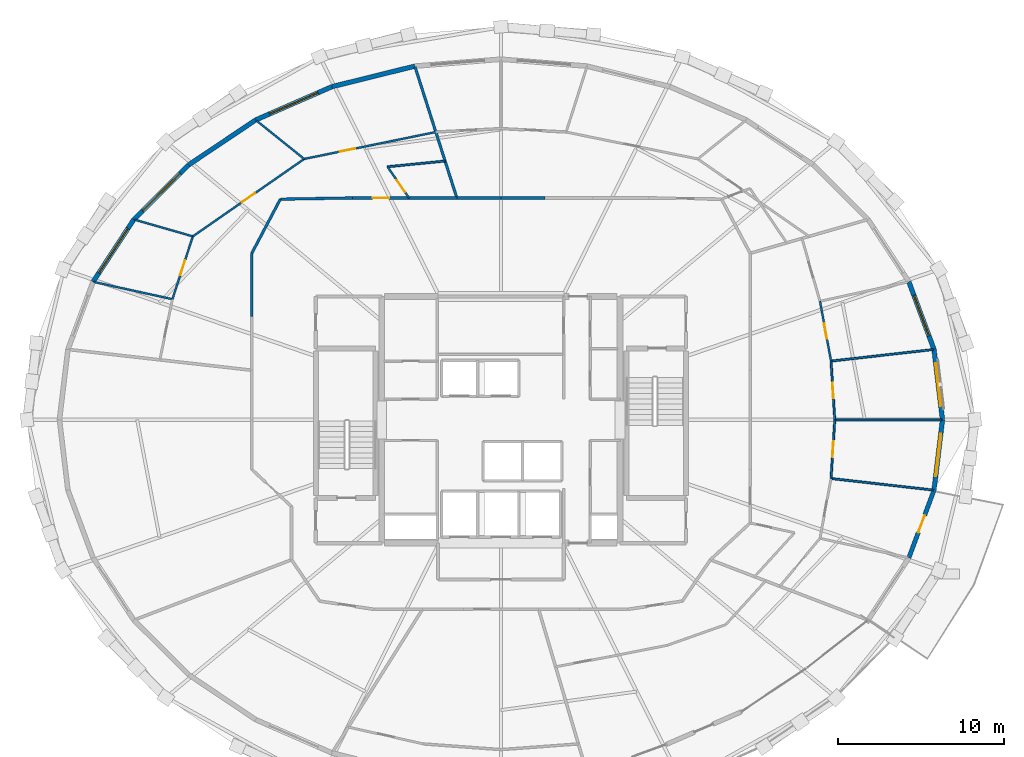
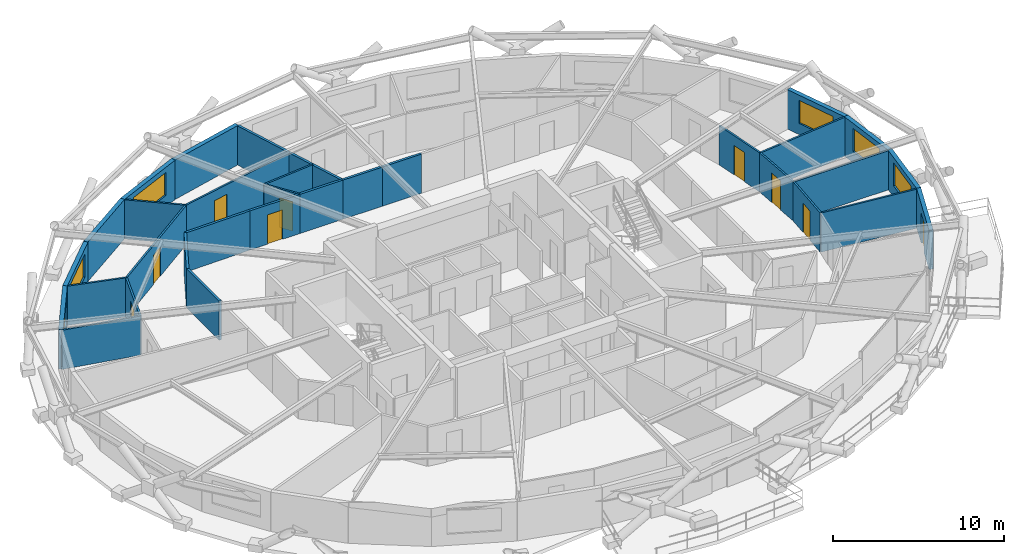
# One storey, part 10 of 12: 31 walls, 9 doors, 6 windows, 15 openings.
"""IFC4 building model written with IfcOpenShell, lengths in metres."""

from ifc_helpers import new_model, si_unit, direction, frame, frame_2d, origin, place, context, subcontext, project, spatial, rectangle, extrude, material, layer, layer_set, type_object, element, fill, save


model = new_model("IFC4")

# Units and contexts
model_context = context("Model", 3, precision=1e-05, world=origin(), true_north=direction((0.0, 1.0)))
body_context = subcontext(model_context, "Body", "Model", "MODEL_VIEW")
ifc_project = project(units=[si_unit("LENGTHUNIT", "METRE"), si_unit("AREAUNIT", "SQUARE_METRE"), si_unit("VOLUMEUNIT", "CUBIC_METRE"), si_unit("PLANEANGLEUNIT", "RADIAN"), si_unit("MASSUNIT", "GRAM", prefix="KILO")], contexts=[model_context])

# Site, building, storey
site_placement = place(None, origin())
site = spatial("IfcSite", under=ifc_project, at=site_placement, CompositionType="ELEMENT")
building_placement = place(site_placement, origin())
building = spatial("IfcBuilding", under=site, at=building_placement, Name="Veldorina Hangang Commons", CompositionType="ELEMENT")
storey_placement = place(building_placement, frame((0.0, 0.0, 124.39990234375)))
storey = spatial("IfcBuildingStorey", under=building, at=storey_placement, Name="L31", CompositionType="ELEMENT", Elevation=124.39990234375)

# Wall, opening, door
ifc_material_1 = material(Name="Stone Roman Travertine", Category="masonry")
ifc_layer_1 = layer(ifc_material_1, 0.260009765625)
ifc_layer_set_1 = layer_set([ifc_layer_1], Name="Stone Roman Travertine")
wall_type_1 = type_object("IfcWallType", Name="EW-LOGGIA-260", PredefinedType="STANDARD", material=ifc_layer_set_1)
wall_1_placement = place(storey_placement, frame((56.63671875, 15.665771484375, 0.0), z_axis=(0.0, 0.0, 1.0), x_axis=(0.348211846364, 0.937415868253, 0.0)))
wall_1 = element("IfcWall", 1, at=wall_1_placement, inside=storey, type_object=wall_type_1, Name="L31 sky-garden loggia portal wall 30", PredefinedType="STANDARD", context=body_context, shape_type="SweptSolid", body=[
    extrude(rectangle(XDim=4.358154296875, YDim=0.260009765625, at=frame_2d((2.17919921875, 0.0))), origin(), (0.0, 0.0, 1.0), 2.820068359375),
])
opening_1_placement = place(wall_1_placement, frame((1.629150390625, 0.0, 0.0)))
opening_1 = element("IfcOpeningElement", 2, at=opening_1_placement, cuts=wall_1, Name="Opening BD-1100", PredefinedType="OPENING", context=body_context, shape_type="SweptSolid", body=[
    extrude(rectangle(XDim=1.10009765625, YDim=2.14990234375, at=frame_2d((0.550048828125, 1.074951171875))), frame((0.0, 0.14013671875, 0.0), z_axis=(0.0, -1.0, 0.0), x_axis=(1.0, 0.0, 0.0)), (0.0, 0.0, 1.0), 0.280029296875),
])
ifc_material_2 = material(Name="Glass Thermal Aluminium Frame", Category="aluminium")
door_type_1 = type_object("IfcDoorType", Name="DR-EXT-BAL1100", OperationType="SINGLE_SWING_RIGHT", PredefinedType="DOOR", material=ifc_material_2)
door_1_placement = place(opening_1_placement, origin())
door_1 = element("IfcDoor", 3, at=door_1_placement, inside=storey, type_object=door_type_1, Name="L31 tree balcony glazed exterior door 30", OperationType="SINGLE_SWING_LEFT", OverallHeight=2.14990234375, OverallWidth=1.10009765625, PredefinedType="DOOR", context=body_context, shape_type="SweptSolid", body=[
    extrude(rectangle(XDim=1.10009765625, YDim=2.14990234375, at=frame_2d((0.550048828125, 1.074951171875))), frame((0.0, 0.02490234375, 0.0), z_axis=(0.0, -1.0, 0.0), x_axis=(1.0, 0.0, 0.0)), (0.0, 0.0, 1.0), 0.050048828125),
])
fill(opening_1, door_1)

# Wall, opening, window
ifc_layer_2 = layer(ifc_material_1, 0.280029296875)
ifc_layer_set_2 = layer_set([ifc_layer_2], Name="Stone Roman Travertine")
wall_type_2 = type_object("IfcWallType", Name="EW-TRAV-280", PredefinedType="STANDARD", material=ifc_layer_set_2)
wall_2_placement = place(storey_placement, frame((58.66650390625, 24.0, 0.0), z_axis=(0.0, 0.0, 1.0), x_axis=(-0.119687341708, 0.992811633813, 0.0)))
wall_2 = element("IfcWall", 4, at=wall_2_placement, inside=storey, type_object=wall_type_2, Name="L31 travertine facade wall 00", PredefinedType="STANDARD", context=body_context, shape_type="SweptSolid", body=[
    extrude(rectangle(XDim=4.279541015625, YDim=0.280029296875, at=frame_2d((2.1396484375, 0.0))), origin(), (0.0, 0.0, 1.0), 2.820068359375),
])
opening_2_placement = place(wall_2_placement, frame((0.83984375, 0.0, 0.800048828125)))
opening_2 = element("IfcOpeningElement", 5, at=opening_2_placement, cuts=wall_2, Name="Opening W-02", PredefinedType="OPENING", context=body_context, shape_type="SweptSolid", body=[
    extrude(rectangle(XDim=2.60009765625, YDim=1.64990234375, at=frame_2d((1.300048828125, 0.824951171875))), frame((0.0, 0.14990234375, 0.0), z_axis=(0.0, -1.0, 0.0), x_axis=(1.0, 0.0, 0.0)), (0.0, 0.0, 1.0), 0.300048828125),
])
ifc_material_3 = material(Name="Glass Low-E Triple IGU", Category="glass")
window_type_1 = type_object("IfcWindowType", Name="WIN-TWR-2600", PartitioningType="SINGLE_PANEL", PredefinedType="WINDOW", material=ifc_material_3)
window_1_placement = place(opening_2_placement, origin())
window_1 = element("IfcWindow", 6, at=window_1_placement, inside=storey, type_object=window_type_1, Name="L31 facade window 00", OverallHeight=1.64990234375, OverallWidth=2.60009765625, PartitioningType="SINGLE_PANEL", PredefinedType="WINDOW", context=body_context, shape_type="SweptSolid", body=[
    extrude(rectangle(XDim=2.60009765625, YDim=1.64990234375, at=frame_2d((1.300048828125, 0.824951171875))), frame((0.0, 0.030029296875, 0.0), z_axis=(0.0, -1.0, 0.0), x_axis=(1.0, 0.0, 0.0)), (0.0, 0.0, 1.0), 0.06005859375),
])
fill(opening_2, window_1)

wall_3_placement = place(storey_placement, frame((58.154296875, 28.248779296875, 0.0), z_axis=(0.0, 0.0, 1.0), x_axis=(-0.348211846364, 0.937415868253, 0.0)))
wall_3 = element("IfcWall", 7, at=wall_3_placement, inside=storey, type_object=wall_type_2, Name="L31 travertine facade wall 01", PredefinedType="STANDARD", context=body_context, shape_type="SweptSolid", body=[
    extrude(rectangle(XDim=4.358154296875, YDim=0.280029296875, at=frame_2d((2.17919921875, 0.0))), origin(), (0.0, 0.0, 1.0), 2.820068359375),
])
opening_3_placement = place(wall_3_placement, frame((0.879150390625, 0.0, 0.800048828125)))
opening_3 = element("IfcOpeningElement", 8, at=opening_3_placement, cuts=wall_3, Name="Opening W-02", PredefinedType="OPENING", context=body_context, shape_type="SweptSolid", body=[
    extrude(rectangle(XDim=2.60009765625, YDim=1.64990234375, at=frame_2d((1.300048828125, 0.824951171875))), frame((0.0, 0.14990234375, 0.0), z_axis=(0.0, -1.0, 0.0), x_axis=(1.0, 0.0, 0.0)), (0.0, 0.0, 1.0), 0.300048828125),
])
window_2_placement = place(opening_3_placement, origin())
window_2 = element("IfcWindow", 9, at=window_2_placement, inside=storey, type_object=window_type_1, Name="L31 facade window 01", OverallHeight=1.64990234375, OverallWidth=2.60009765625, PartitioningType="SINGLE_PANEL", PredefinedType="WINDOW", context=body_context, shape_type="SweptSolid", body=[
    extrude(rectangle(XDim=2.60009765625, YDim=1.64990234375, at=frame_2d((1.300048828125, 0.824951171875))), frame((0.0, 0.030029296875, 0.0), z_axis=(0.0, -1.0, 0.0), x_axis=(1.0, 0.0, 0.0)), (0.0, 0.0, 1.0), 0.06005859375),
])
fill(opening_3, window_2)

# Wall
wall_4_placement = place(storey_placement, frame((26.797607421875, 45.360107421875, 0.0), z_axis=(0.0, 0.0, 1.0), x_axis=(-0.970658593631, -0.24046183608, 0.0)))
element("IfcWall", 10, at=wall_4_placement, inside=storey, type_object=wall_type_2, Name="L31 travertine facade wall 09", PredefinedType="STANDARD", context=body_context, shape_type="SweptSolid", body=[
    extrude(rectangle(XDim=5.153564453125, YDim=0.280029296875, at=frame_2d((2.57666015625, 0.0))), origin(), (0.0, 0.0, 1.0), 2.820068359375),
])

# Wall, opening, window
wall_5_placement = place(storey_placement, frame((21.795166015625, 44.120849609375, 0.0), z_axis=(0.0, 0.0, 1.0), x_axis=(-0.916473381058, -0.400095665825, 0.0)))
wall_5 = element("IfcWall", 11, at=wall_5_placement, inside=storey, type_object=wall_type_2, Name="L31 travertine facade wall 10", PredefinedType="STANDARD", context=body_context, shape_type="SweptSolid", body=[
    extrude(rectangle(XDim=5.030517578125, YDim=0.280029296875, at=frame_2d((2.51513671875, 0.0))), origin(), (0.0, 0.0, 1.0), 2.820068359375),
])
opening_4_placement = place(wall_5_placement, frame((0.915283203125, 0.0, 0.800048828125)))
opening_4 = element("IfcOpeningElement", 12, at=opening_4_placement, cuts=wall_5, Name="Opening W-01", PredefinedType="OPENING", context=body_context, shape_type="SweptSolid", body=[
    extrude(rectangle(XDim=3.199951171875, YDim=1.64990234375, at=frame_2d((1.60009765625, 0.824951171875))), frame((0.0, 0.14990234375, 0.0), z_axis=(0.0, -1.0, 0.0), x_axis=(1.0, 0.0, 0.0)), (0.0, 0.0, 1.0), 0.300048828125),
])
window_type_2 = type_object("IfcWindowType", Name="WIN-TWR-3200", PartitioningType="SINGLE_PANEL", PredefinedType="WINDOW", material=ifc_material_3)
window_3_placement = place(opening_4_placement, origin())
window_3 = element("IfcWindow", 13, at=window_3_placement, inside=storey, type_object=window_type_2, Name="L31 facade window 10", OverallHeight=1.64990234375, OverallWidth=3.199951171875, PartitioningType="SINGLE_PANEL", PredefinedType="WINDOW", context=body_context, shape_type="SweptSolid", body=[
    extrude(rectangle(XDim=3.199951171875, YDim=1.64990234375, at=frame_2d((1.60009765625, 0.824951171875))), frame((0.0, 0.030029296875, 0.0), z_axis=(0.0, -1.0, 0.0), x_axis=(1.0, 0.0, 0.0)), (0.0, 0.0, 1.0), 0.06005859375),
])
fill(opening_4, window_3)

# Wall
wall_6_placement = place(storey_placement, frame((17.184814453125, 42.108154296875, 0.0), z_axis=(0.0, 0.0, 1.0), x_axis=(-0.83069663506, -0.556725336679, 0.0)))
element("IfcWall", 14, at=wall_6_placement, inside=storey, type_object=wall_type_2, Name="L31 travertine facade wall 11", PredefinedType="STANDARD", context=body_context, shape_type="SweptSolid", body=[
    extrude(rectangle(XDim=4.864501953125, YDim=0.280029296875, at=frame_2d((2.43212890625, 0.0))), origin(), (0.0, 0.0, 1.0), 2.820068359375),
])

# Wall, opening, window
wall_7_placement = place(storey_placement, frame((13.143798828125, 39.39990234375, 0.0), z_axis=(0.0, 0.0, 1.0), x_axis=(-0.708826657364, -0.70538271159, 0.0)))
wall_7 = element("IfcWall", 15, at=wall_7_placement, inside=storey, type_object=wall_type_2, Name="L31 travertine facade wall 12", PredefinedType="STANDARD", context=body_context, shape_type="SweptSolid", body=[
    extrude(rectangle(XDim=4.6787109375, YDim=0.280029296875, at=frame_2d((2.33935546875, 0.0))), origin(), (0.0, 0.0, 1.0), 2.820068359375),
])
opening_5_placement = place(wall_7_placement, frame((0.739501953125, 0.0, 0.800048828125)))
opening_5 = element("IfcOpeningElement", 16, at=opening_5_placement, cuts=wall_7, Name="Opening W-01", PredefinedType="OPENING", context=body_context, shape_type="SweptSolid", body=[
    extrude(rectangle(XDim=3.199951171875, YDim=1.64990234375, at=frame_2d((1.60009765625, 0.824951171875))), frame((0.0, 0.14990234375, 0.0), z_axis=(0.0, -1.0, 0.0), x_axis=(1.0, 0.0, 0.0)), (0.0, 0.0, 1.0), 0.300048828125),
])
window_4_placement = place(opening_5_placement, origin())
window_4 = element("IfcWindow", 17, at=window_4_placement, inside=storey, type_object=window_type_2, Name="L31 facade window 12", OverallHeight=1.64990234375, OverallWidth=3.199951171875, PartitioningType="SINGLE_PANEL", PredefinedType="WINDOW", context=body_context, shape_type="SweptSolid", body=[
    extrude(rectangle(XDim=3.199951171875, YDim=1.64990234375, at=frame_2d((1.60009765625, 0.824951171875))), frame((0.0, 0.030029296875, 0.0), z_axis=(0.0, -1.0, 0.0), x_axis=(1.0, 0.0, 0.0)), (0.0, 0.0, 1.0), 0.06005859375),
])
fill(opening_5, window_4)

wall_8_placement = place(storey_placement, frame((9.827392578125, 36.099609375, 0.0), z_axis=(0.0, 0.0, 1.0), x_axis=(-0.547581138096, -0.836752590197, 0.0)))
wall_8 = element("IfcWall", 18, at=wall_8_placement, inside=storey, type_object=wall_type_2, Name="L31 travertine facade wall 13", PredefinedType="STANDARD", context=body_context, shape_type="SweptSolid", body=[
    extrude(rectangle(XDim=4.5, YDim=0.280029296875, at=frame_2d((2.25, 0.0))), origin(), (0.0, 0.0, 1.0), 2.820068359375),
])
opening_6_placement = place(wall_8_placement, frame((0.64990234375, 0.0, 0.800048828125)))
opening_6 = element("IfcOpeningElement", 19, at=opening_6_placement, cuts=wall_8, Name="Opening W-01", PredefinedType="OPENING", context=body_context, shape_type="SweptSolid", body=[
    extrude(rectangle(XDim=3.199951171875, YDim=1.64990234375, at=frame_2d((1.60009765625, 0.824951171875))), frame((0.0, 0.14990234375, 0.0), z_axis=(0.0, -1.0, 0.0), x_axis=(1.0, 0.0, 0.0)), (0.0, 0.0, 1.0), 0.300048828125),
])
window_5_placement = place(opening_6_placement, origin())
window_5 = element("IfcWindow", 20, at=window_5_placement, inside=storey, type_object=window_type_2, Name="L31 facade window 13", OverallHeight=1.64990234375, OverallWidth=3.199951171875, PartitioningType="SINGLE_PANEL", PredefinedType="WINDOW", context=body_context, shape_type="SweptSolid", body=[
    extrude(rectangle(XDim=3.199951171875, YDim=1.64990234375, at=frame_2d((1.60009765625, 0.824951171875))), frame((0.0, 0.030029296875, 0.0), z_axis=(0.0, -1.0, 0.0), x_axis=(1.0, 0.0, 0.0)), (0.0, 0.0, 1.0), 0.06005859375),
])
fill(opening_6, window_5)

wall_9_placement = place(storey_placement, frame((58.154296875, 19.751220703125, 0.0), z_axis=(0.0, 0.0, 1.0), x_axis=(0.119687341708, 0.992811633813, 0.0)))
wall_9 = element("IfcWall", 21, at=wall_9_placement, inside=storey, type_object=wall_type_2, Name="L31 travertine facade wall 31", PredefinedType="STANDARD", context=body_context, shape_type="SweptSolid", body=[
    extrude(rectangle(XDim=4.279541015625, YDim=0.280029296875, at=frame_2d((2.1396484375, 0.0))), origin(), (0.0, 0.0, 1.0), 2.820068359375),
])
opening_7_placement = place(wall_9_placement, frame((0.83984375, 0.0, 0.800048828125)))
opening_7 = element("IfcOpeningElement", 22, at=opening_7_placement, cuts=wall_9, Name="Opening W-02", PredefinedType="OPENING", context=body_context, shape_type="SweptSolid", body=[
    extrude(rectangle(XDim=2.60009765625, YDim=1.64990234375, at=frame_2d((1.300048828125, 0.824951171875))), frame((0.0, 0.14990234375, 0.0), z_axis=(0.0, -1.0, 0.0), x_axis=(1.0, 0.0, 0.0)), (0.0, 0.0, 1.0), 0.300048828125),
])
window_6_placement = place(opening_7_placement, origin())
window_6 = element("IfcWindow", 23, at=window_6_placement, inside=storey, type_object=window_type_1, Name="L31 facade window 31", OverallHeight=1.64990234375, OverallWidth=2.60009765625, PartitioningType="SINGLE_PANEL", PredefinedType="WINDOW", context=body_context, shape_type="SweptSolid", body=[
    extrude(rectangle(XDim=2.60009765625, YDim=1.64990234375, at=frame_2d((1.300048828125, 0.824951171875))), frame((0.0, 0.030029296875, 0.0), z_axis=(0.0, -1.0, 0.0), x_axis=(1.0, 0.0, 0.0)), (0.0, 0.0, 1.0), 0.06005859375),
])
fill(opening_7, window_6)

# Walls
ifc_material_4 = material(Name="Gypsum Fire-Rated Twin Stud Wall", Category="gypsum")
ifc_layer_3 = layer(ifc_material_4, 0.159912109375)
ifc_layer_set_3 = layer_set([ifc_layer_3], Name="Gypsum Fire-Rated Twin Stud Wall")
wall_type_3 = type_object("IfcWallType", Name="WL-FIRE-160", PredefinedType="SOLIDWALL", material=ifc_layer_set_3)
for number, where, z_axis, x_axis, name in (
    (24, (34.665283203125, 37.39990234375, 0.0), (0.0, 0.0, 1.0), (-1.0, 0.0, 0.0), "L31 U-corridor outer wall 07 053"),
    (25, (32.0, 37.39990234375, 0.0), (0.0, 0.0, 1.0), (-1.0, 0.0, 0.0), "L31 U-corridor outer wall 08 054"),
):
    element("IfcWall", number, at=place(storey_placement, frame(where, z_axis=z_axis, x_axis=x_axis)), inside=storey, type_object=wall_type_3, Name=name, PredefinedType="SOLIDWALL", context=body_context, shape_type="SweptSolid", body=[
        extrude(rectangle(XDim=2.665283203125, YDim=0.159912109375, at=frame_2d((1.33251953125, 0.0))), origin(), (0.0, 0.0, 1.0), 2.800048828125),
    ])
wall_10_placement = place(storey_placement, frame((29.334716796875, 37.39990234375, 0.0), z_axis=(0.0, 0.0, 1.0), x_axis=(-1.0, 0.0, 0.0)))
element("IfcWall", 26, at=wall_10_placement, inside=storey, type_object=wall_type_3, Name="L31 U-corridor outer wall 09 055", PredefinedType="SOLIDWALL", context=body_context, shape_type="SweptSolid", body=[
    extrude(rectangle(XDim=2.88525390625, YDim=0.159912109375, at=frame_2d((1.442626953125, 0.0))), origin(), (0.0, 0.0, 1.0), 2.800048828125),
])

# Wall, opening, door
wall_11_placement = place(storey_placement, frame((26.449462890625, 37.39990234375, 0.0), z_axis=(0.0, 0.0, 1.0), x_axis=(-1.0, 0.0, 0.0)))
wall_11 = element("IfcWall", 27, at=wall_11_placement, inside=storey, type_object=wall_type_3, Name="L31 U-corridor outer wall 10 056", PredefinedType="SOLIDWALL", context=body_context, shape_type="SweptSolid", body=[
    extrude(rectangle(XDim=3.403076171875, YDim=0.159912109375, at=frame_2d((1.70166015625, 0.0))), origin(), (0.0, 0.0, 1.0), 2.800048828125),
])
opening_8_placement = place(wall_11_placement, frame((1.201416015625, 0.0, 0.0)))
opening_8 = element("IfcOpeningElement", 28, at=opening_8_placement, cuts=wall_11, Name="Opening D-06", PredefinedType="OPENING", context=body_context, shape_type="SweptSolid", body=[
    extrude(rectangle(XDim=1.0, YDim=2.10009765625, at=frame_2d((0.5, 1.050048828125))), frame((0.0, 0.08984375, 0.0), z_axis=(0.0, -1.0, 0.0), x_axis=(1.0, 0.0, 0.0)), (0.0, 0.0, 1.0), 0.179931640625),
])
ifc_material_5 = material(Name="Timber Fire-Rated Entrance Core", Category="wood")
door_type_2 = type_object("IfcDoorType", Name="DR-UNIT-1000", OperationType="SINGLE_SWING_LEFT", PredefinedType="DOOR", material=ifc_material_5)
door_2_placement = place(opening_8_placement, origin())
door_2 = element("IfcDoor", 29, at=door_2_placement, inside=storey, type_object=door_type_2, Name="L31 Cluster 4 entrance door 035", OperationType="SINGLE_SWING_LEFT", OverallHeight=2.10009765625, OverallWidth=1.0, PredefinedType="DOOR", context=body_context, shape_type="SweptSolid", body=[
    extrude(rectangle(XDim=1.0, YDim=2.10009765625, at=frame_2d((0.5, 1.050048828125))), frame((0.0, 0.02490234375, 0.0), z_axis=(0.0, -1.0, 0.0), x_axis=(1.0, 0.0, 0.0)), (0.0, 0.0, 1.0), 0.050048828125),
])
fill(opening_8, door_2)

# Walls
wall_12_placement = place(storey_placement, frame((23.04638671875, 37.39990234375, 0.0), z_axis=(0.0, 0.0, 1.0), x_axis=(-0.999853038912, -0.017143528788, 0.0)))
element("IfcWall", 30, at=wall_12_placement, inside=storey, type_object=wall_type_3, Name="L31 U-corridor outer wall 11 057", PredefinedType="SOLIDWALL", context=body_context, shape_type="SweptSolid", body=[
    extrude(rectangle(XDim=4.3720703125, YDim=0.159912109375, at=frame_2d((2.18603515625, 0.0))), origin(), (0.0, 0.0, 1.0), 2.800048828125),
])
wall_13_placement = place(storey_placement, frame((18.675048828125, 37.324951171875, 0.0), z_axis=(0.0, 0.0, 1.0), x_axis=(-0.466737093093, -0.884396113702, 0.0)))
element("IfcWall", 31, at=wall_13_placement, inside=storey, type_object=wall_type_3, Name="L31 U-corridor outer wall 12 058", PredefinedType="SOLIDWALL", context=body_context, shape_type="SweptSolid", body=[
    extrude(rectangle(XDim=3.696044921875, YDim=0.159912109375, at=frame_2d((1.84814453125, 0.0))), origin(), (0.0, 0.0, 1.0), 2.800048828125),
])
wall_14_placement = place(storey_placement, frame((16.949951171875, 34.05615234375, 0.0), z_axis=(0.0, 0.0, 1.0), x_axis=(0.0, -1.0, 0.0)))
element("IfcWall", 32, at=wall_14_placement, inside=storey, type_object=wall_type_3, Name="L31 U-corridor outer wall 13 059", PredefinedType="SOLIDWALL", context=body_context, shape_type="SweptSolid", body=[
    extrude(rectangle(XDim=3.822265625, YDim=0.159912109375, at=frame_2d((1.9111328125, 0.0))), origin(), (0.0, 0.0, 1.0), 2.800048828125),
])
wall_15_placement = place(storey_placement, frame((29.334716796875, 37.39990234375, 0.0), z_axis=(0.0, 0.0, 1.0), x_axis=(-0.303676848988, 0.952775089614, 0.0)))
element("IfcWall", 33, at=wall_15_placement, inside=storey, type_object=wall_type_3, Name="L31 Unit party wall 09 107", PredefinedType="SOLIDWALL", context=body_context, shape_type="SweptSolid", body=[
    extrude(rectangle(XDim=8.3046875, YDim=0.159912109375, at=frame_2d((4.15234375, 0.0))), origin(), (0.0, 0.0, 1.0), 2.800048828125),
])

# Wall, opening, door
ifc_material_6 = material(Name="Gypsum Acoustic Stud Partition", Category="gypsum")
ifc_layer_4 = layer(ifc_material_6, 0.1201171875)
ifc_layer_set_4 = layer_set([ifc_layer_4], Name="Gypsum Acoustic Stud Partition")
wall_type_4 = type_object("IfcWallType", Name="WL-PART-120", PredefinedType="PARTITIONING", material=ifc_layer_set_4)
wall_16_placement = place(storey_placement, frame((51.935791015625, 20.4541015625, 0.0), z_axis=(0.0, 0.0, 1.0), x_axis=(0.063490483218, 0.997982444004, 0.0)))
wall_16 = element("IfcWall", 34, at=wall_16_placement, inside=storey, type_object=wall_type_4, Name="L31 Cluster 2 bed 3 front wall 089", PredefinedType="PARTITIONING", context=body_context, shape_type="SweptSolid", body=[
    extrude(rectangle(XDim=3.552978515625, YDim=0.1201171875, at=frame_2d((1.7763671875, 0.0))), origin(), (0.0, 0.0, 1.0), 2.800048828125),
])
opening_9_placement = place(wall_16_placement, frame((1.301513671875, 0.0, 0.0)))
opening_9 = element("IfcOpeningElement", 35, at=opening_9_placement, cuts=wall_16, Name="Opening D-02", PredefinedType="OPENING", context=body_context, shape_type="SweptSolid", body=[
    extrude(rectangle(XDim=0.949951171875, YDim=2.10009765625, at=frame_2d((0.47509765625, 1.050048828125))), frame((0.0, 0.070068359375, 0.0), z_axis=(0.0, -1.0, 0.0), x_axis=(1.0, 0.0, 0.0)), (0.0, 0.0, 1.0), 0.14013671875),
])
ifc_material_7 = material(Name="Timber Solid Core Acoustic", Category="wood")
door_type_3 = type_object("IfcDoorType", Name="DR-INT-950", OperationType="SINGLE_SWING_LEFT", PredefinedType="DOOR", material=ifc_material_7)
door_3_placement = place(opening_9_placement, origin())
door_3 = element("IfcDoor", 36, at=door_3_placement, inside=storey, type_object=door_type_3, Name="L31 Cluster 2 bed 3 door 024", OperationType="SINGLE_SWING_RIGHT", OverallHeight=2.10009765625, OverallWidth=0.949951171875, PredefinedType="DOOR", context=body_context, shape_type="SweptSolid", body=[
    extrude(rectangle(XDim=0.949951171875, YDim=2.10009765625, at=frame_2d((0.47509765625, 1.050048828125))), frame((0.0, 0.02490234375, 0.0), z_axis=(0.0, -1.0, 0.0), x_axis=(1.0, 0.0, 0.0)), (0.0, 0.0, 1.0), 0.050048828125),
])
fill(opening_9, door_3)

# Wall
wall_17_placement = place(storey_placement, frame((51.935791015625, 20.4541015625, 0.0), z_axis=(0.0, 0.0, 1.0), x_axis=(0.993672361239, -0.112317578806, 0.0)))
element("IfcWall", 37, at=wall_17_placement, inside=storey, type_object=wall_type_4, Name="L31 Cluster 2 bed divider 2 090", PredefinedType="PARTITIONING", context=body_context, shape_type="SweptSolid", body=[
    extrude(rectangle(XDim=6.2080078125, YDim=0.1201171875, at=frame_2d((3.10400390625, 0.0))), origin(), (0.0, 0.0, 1.0), 2.800048828125),
])

# Wall, opening, door
wall_18_placement = place(storey_placement, frame((52.161376953125, 24.0, 0.0), z_axis=(0.0, 0.0, 1.0), x_axis=(-0.063490483218, 0.997982444004, 0.0)))
wall_18 = element("IfcWall", 38, at=wall_18_placement, inside=storey, type_object=wall_type_4, Name="L31 Cluster 2 bed 4 front wall 091", PredefinedType="PARTITIONING", context=body_context, shape_type="SweptSolid", body=[
    extrude(rectangle(XDim=3.552978515625, YDim=0.1201171875, at=frame_2d((1.7763671875, 0.0))), origin(), (0.0, 0.0, 1.0), 2.800048828125),
])
opening_10_placement = place(wall_18_placement, frame((1.301513671875, 0.0, 0.0)))
opening_10 = element("IfcOpeningElement", 39, at=opening_10_placement, cuts=wall_18, Name="Opening D-02", PredefinedType="OPENING", context=body_context, shape_type="SweptSolid", body=[
    extrude(rectangle(XDim=0.949951171875, YDim=2.10009765625, at=frame_2d((0.47509765625, 1.050048828125))), frame((0.0, 0.070068359375, 0.0), z_axis=(0.0, -1.0, 0.0), x_axis=(1.0, 0.0, 0.0)), (0.0, 0.0, 1.0), 0.14013671875),
])
door_4_placement = place(opening_10_placement, origin())
door_4 = element("IfcDoor", 40, at=door_4_placement, inside=storey, type_object=door_type_3, Name="L31 Cluster 2 bed 4 door 025", OperationType="SINGLE_SWING_LEFT", OverallHeight=2.10009765625, OverallWidth=0.949951171875, PredefinedType="DOOR", context=body_context, shape_type="SweptSolid", body=[
    extrude(rectangle(XDim=0.949951171875, YDim=2.10009765625, at=frame_2d((0.47509765625, 1.050048828125))), frame((0.0, 0.02490234375, 0.0), z_axis=(0.0, -1.0, 0.0), x_axis=(1.0, 0.0, 0.0)), (0.0, 0.0, 1.0), 0.050048828125),
])
fill(opening_10, door_4)

# Wall
wall_19_placement = place(storey_placement, frame((52.161376953125, 24.0, 0.0), z_axis=(0.0, 0.0, 1.0), x_axis=(1.0, 0.0, 0.0)))
element("IfcWall", 41, at=wall_19_placement, inside=storey, type_object=wall_type_4, Name="L31 Cluster 2 bed divider 3 092", PredefinedType="PARTITIONING", context=body_context, shape_type="SweptSolid", body=[
    extrude(rectangle(XDim=6.455322265625, YDim=0.1201171875, at=frame_2d((3.2275390625, 0.0))), origin(), (0.0, 0.0, 1.0), 2.800048828125),
])

# Wall, opening, door
wall_20_placement = place(storey_placement, frame((51.935791015625, 27.5458984375, 0.0), z_axis=(0.0, 0.0, 1.0), x_axis=(-0.181767968599, 0.983341449137, 0.0)))
wall_20 = element("IfcWall", 42, at=wall_20_placement, inside=storey, type_object=wall_type_4, Name="L31 Cluster 2 bed 5 front wall 093", PredefinedType="PARTITIONING", context=body_context, shape_type="SweptSolid", body=[
    extrude(rectangle(XDim=3.673583984375, YDim=0.1201171875, at=frame_2d((1.8369140625, 0.0))), origin(), (0.0, 0.0, 1.0), 2.800048828125),
])
opening_11_placement = place(wall_20_placement, frame((1.36181640625, 0.0, 0.0)))
opening_11 = element("IfcOpeningElement", 43, at=opening_11_placement, cuts=wall_20, Name="Opening D-02", PredefinedType="OPENING", context=body_context, shape_type="SweptSolid", body=[
    extrude(rectangle(XDim=0.949951171875, YDim=2.10009765625, at=frame_2d((0.47509765625, 1.050048828125))), frame((0.0, 0.070068359375, 0.0), z_axis=(0.0, -1.0, 0.0), x_axis=(1.0, 0.0, 0.0)), (0.0, 0.0, 1.0), 0.14013671875),
])
door_5_placement = place(opening_11_placement, origin())
door_5 = element("IfcDoor", 44, at=door_5_placement, inside=storey, type_object=door_type_3, Name="L31 Cluster 2 bed 5 door 026", OperationType="SINGLE_SWING_RIGHT", OverallHeight=2.10009765625, OverallWidth=0.949951171875, PredefinedType="DOOR", context=body_context, shape_type="SweptSolid", body=[
    extrude(rectangle(XDim=0.949951171875, YDim=2.10009765625, at=frame_2d((0.47509765625, 1.050048828125))), frame((0.0, 0.02490234375, 0.0), z_axis=(0.0, -1.0, 0.0), x_axis=(1.0, 0.0, 0.0)), (0.0, 0.0, 1.0), 0.050048828125),
])
fill(opening_11, door_5)

# Walls
wall_21_placement = place(storey_placement, frame((51.935791015625, 27.5458984375, 0.0), z_axis=(0.0, 0.0, 1.0), x_axis=(0.993672361239, 0.112317578806, 0.0)))
element("IfcWall", 45, at=wall_21_placement, inside=storey, type_object=wall_type_4, Name="L31 Cluster 2 bed divider 4 094", PredefinedType="PARTITIONING", context=body_context, shape_type="SweptSolid", body=[
    extrude(rectangle(XDim=6.2080078125, YDim=0.1201171875, at=frame_2d((3.10400390625, 0.0))), origin(), (0.0, 0.0, 1.0), 2.800048828125),
])
wall_22_placement = place(storey_placement, frame((28.624267578125, 39.62890625, 0.0), z_axis=(0.0, 0.0, 1.0), x_axis=(-0.995055154647, -0.099323910565, 0.0)))
element("IfcWall", 46, at=wall_22_placement, inside=storey, type_object=wall_type_4, Name="L31 Cluster 4 bath front wall 108", PredefinedType="PARTITIONING", context=body_context, shape_type="SweptSolid", body=[
    extrude(rectangle(XDim=3.495361328125, YDim=0.1201171875, at=frame_2d((1.74755859375, 0.0))), origin(), (0.0, 0.0, 1.0), 2.800048828125),
])

# Wall, opening, door
wall_23_placement = place(storey_placement, frame((26.449462890625, 37.39990234375, 0.0), z_axis=(0.0, 0.0, 1.0), x_axis=(-0.569331987511, 0.822107710703, 0.0)))
wall_23 = element("IfcWall", 47, at=wall_23_placement, inside=storey, type_object=wall_type_4, Name="L31 Cluster 4 bath side wall 109", PredefinedType="PARTITIONING", context=body_context, shape_type="SweptSolid", body=[
    extrude(rectangle(XDim=2.2890625, YDim=0.1201171875, at=frame_2d((1.14453125, 0.0))), origin(), (0.0, 0.0, 1.0), 2.800048828125),
])
opening_12_placement = place(wall_23_placement, frame((0.43994140625, 0.0, 0.0)))
opening_12 = element("IfcOpeningElement", 48, at=opening_12_placement, cuts=wall_23, Name="Opening D-01", PredefinedType="OPENING", context=body_context, shape_type="SweptSolid", body=[
    extrude(rectangle(XDim=0.860107421875, YDim=2.10009765625, at=frame_2d((0.43017578125, 1.050048828125))), frame((0.0, 0.070068359375, 0.0), z_axis=(0.0, -1.0, 0.0), x_axis=(1.0, 0.0, 0.0)), (0.0, 0.0, 1.0), 0.14013671875),
])
ifc_material_8 = material(Name="Timber Moisture-Resistant Core", Category="wood")
door_type_4 = type_object("IfcDoorType", Name="DR-WET-860", OperationType="SINGLE_SWING_LEFT", PredefinedType="DOOR", material=ifc_material_8)
door_6_placement = place(opening_12_placement, origin())
door_6 = element("IfcDoor", 49, at=door_6_placement, inside=storey, type_object=door_type_4, Name="L31 Cluster 4 shared bathroom door 034", OperationType="SINGLE_SWING_RIGHT", OverallHeight=2.10009765625, OverallWidth=0.860107421875, PredefinedType="DOOR", context=body_context, shape_type="SweptSolid", body=[
    extrude(rectangle(XDim=0.860107421875, YDim=2.10009765625, at=frame_2d((0.43017578125, 1.050048828125))), frame((0.0, 0.02490234375, 0.0), z_axis=(0.0, -1.0, 0.0), x_axis=(1.0, 0.0, 0.0)), (0.0, 0.0, 1.0), 0.050048828125),
])
fill(opening_12, door_6)

wall_24_placement = place(storey_placement, frame((28.066162109375, 41.3798828125, 0.0), z_axis=(0.0, 0.0, 1.0), x_axis=(-0.979728085565, -0.200331920462, 0.0)))
wall_24 = element("IfcWall", 50, at=wall_24_placement, inside=storey, type_object=wall_type_4, Name="L31 Cluster 4 bed 1 front wall 110", PredefinedType="PARTITIONING", context=body_context, shape_type="SweptSolid", body=[
    extrude(rectangle(XDim=8.115234375, YDim=0.1201171875, at=frame_2d((4.0576171875, 0.0))), origin(), (0.0, 0.0, 1.0), 2.800048828125),
])
opening_13_placement = place(wall_24_placement, frame((4.965087890625, 0.0, 0.0)))
opening_13 = element("IfcOpeningElement", 51, at=opening_13_placement, cuts=wall_24, Name="Opening D-02", PredefinedType="OPENING", context=body_context, shape_type="SweptSolid", body=[
    extrude(rectangle(XDim=0.949951171875, YDim=2.10009765625, at=frame_2d((0.47509765625, 1.050048828125))), frame((0.0, 0.070068359375, 0.0), z_axis=(0.0, -1.0, 0.0), x_axis=(1.0, 0.0, 0.0)), (0.0, 0.0, 1.0), 0.14013671875),
])
door_7_placement = place(opening_13_placement, origin())
door_7 = element("IfcDoor", 52, at=door_7_placement, inside=storey, type_object=door_type_3, Name="L31 Cluster 4 bed 1 door 036", OperationType="SINGLE_SWING_RIGHT", OverallHeight=2.10009765625, OverallWidth=0.949951171875, PredefinedType="DOOR", context=body_context, shape_type="SweptSolid", body=[
    extrude(rectangle(XDim=0.949951171875, YDim=2.10009765625, at=frame_2d((0.47509765625, 1.050048828125))), frame((0.0, 0.02490234375, 0.0), z_axis=(0.0, -1.0, 0.0), x_axis=(1.0, 0.0, 0.0)), (0.0, 0.0, 1.0), 0.050048828125),
])
fill(opening_13, door_7)

wall_25_placement = place(storey_placement, frame((20.115478515625, 39.754150390625, 0.0), z_axis=(0.0, 0.0, 1.0), x_axis=(-0.821091021829, -0.570797279139, 0.0)))
wall_25 = element("IfcWall", 53, at=wall_25_placement, inside=storey, type_object=wall_type_4, Name="L31 Cluster 4 bed 2 front wall 111", PredefinedType="PARTITIONING", context=body_context, shape_type="SweptSolid", body=[
    extrude(rectangle(XDim=8.192626953125, YDim=0.1201171875, at=frame_2d((4.09619140625, 0.0))), origin(), (0.0, 0.0, 1.0), 2.800048828125),
])
opening_14_placement = place(wall_25_placement, frame((3.621337890625, 0.0, 0.0)))
opening_14 = element("IfcOpeningElement", 54, at=opening_14_placement, cuts=wall_25, Name="Opening D-02", PredefinedType="OPENING", context=body_context, shape_type="SweptSolid", body=[
    extrude(rectangle(XDim=0.949951171875, YDim=2.10009765625, at=frame_2d((0.47509765625, 1.050048828125))), frame((0.0, 0.070068359375, 0.0), z_axis=(0.0, -1.0, 0.0), x_axis=(1.0, 0.0, 0.0)), (0.0, 0.0, 1.0), 0.14013671875),
])
door_8_placement = place(opening_14_placement, origin())
door_8 = element("IfcDoor", 55, at=door_8_placement, inside=storey, type_object=door_type_3, Name="L31 Cluster 4 bed 2 door 037", OperationType="SINGLE_SWING_LEFT", OverallHeight=2.10009765625, OverallWidth=0.949951171875, PredefinedType="DOOR", context=body_context, shape_type="SweptSolid", body=[
    extrude(rectangle(XDim=0.949951171875, YDim=2.10009765625, at=frame_2d((0.47509765625, 1.050048828125))), frame((0.0, 0.02490234375, 0.0), z_axis=(0.0, -1.0, 0.0), x_axis=(1.0, 0.0, 0.0)), (0.0, 0.0, 1.0), 0.050048828125),
])
fill(opening_14, door_8)

# Wall
wall_26_placement = place(storey_placement, frame((20.115478515625, 39.754150390625, 0.0), z_axis=(0.0, 0.0, 1.0), x_axis=(-0.779621413821, 0.626251108671, 0.0)))
element("IfcWall", 56, at=wall_26_placement, inside=storey, type_object=wall_type_4, Name="L31 Cluster 4 bed divider 1 112", PredefinedType="PARTITIONING", context=body_context, shape_type="SweptSolid", body=[
    extrude(rectangle(XDim=3.708984375, YDim=0.1201171875, at=frame_2d((1.8544921875, 0.0))), origin(), (0.0, 0.0, 1.0), 2.800048828125),
])

# Wall, opening, door
wall_27_placement = place(storey_placement, frame((13.388671875, 35.077880859375, 0.0), z_axis=(0.0, 0.0, 1.0), x_axis=(-0.30891030102, -0.951091176451, 0.0)))
wall_27 = element("IfcWall", 57, at=wall_27_placement, inside=storey, type_object=wall_type_4, Name="L31 Cluster 4 bed 3 front wall 113", PredefinedType="PARTITIONING", context=body_context, shape_type="SweptSolid", body=[
    extrude(rectangle(XDim=3.98876953125, YDim=0.1201171875, at=frame_2d((1.994384765625, 0.0))), origin(), (0.0, 0.0, 1.0), 2.800048828125),
])
opening_15_placement = place(wall_27_placement, frame((1.519287109375, 0.0, 0.0)))
opening_15 = element("IfcOpeningElement", 58, at=opening_15_placement, cuts=wall_27, Name="Opening D-02", PredefinedType="OPENING", context=body_context, shape_type="SweptSolid", body=[
    extrude(rectangle(XDim=0.949951171875, YDim=2.10009765625, at=frame_2d((0.47509765625, 1.050048828125))), frame((0.0, 0.070068359375, 0.0), z_axis=(0.0, -1.0, 0.0), x_axis=(1.0, 0.0, 0.0)), (0.0, 0.0, 1.0), 0.14013671875),
])
door_9_placement = place(opening_15_placement, origin())
door_9 = element("IfcDoor", 59, at=door_9_placement, inside=storey, type_object=door_type_3, Name="L31 Cluster 4 bed 3 door 038", OperationType="SINGLE_SWING_RIGHT", OverallHeight=2.10009765625, OverallWidth=0.949951171875, PredefinedType="DOOR", context=body_context, shape_type="SweptSolid", body=[
    extrude(rectangle(XDim=0.949951171875, YDim=2.10009765625, at=frame_2d((0.47509765625, 1.050048828125))), frame((0.0, 0.02490234375, 0.0), z_axis=(0.0, -1.0, 0.0), x_axis=(1.0, 0.0, 0.0)), (0.0, 0.0, 1.0), 0.050048828125),
])
fill(opening_15, door_9)

# Walls
wall_28_placement = place(storey_placement, frame((13.388671875, 35.077880859375, 0.0), z_axis=(0.0, 0.0, 1.0), x_axis=(-0.961231001848, 0.275744376347, 0.0)))
element("IfcWall", 60, at=wall_28_placement, inside=storey, type_object=wall_type_4, Name="L31 Cluster 4 bed divider 2 114", PredefinedType="PARTITIONING", context=body_context, shape_type="SweptSolid", body=[
    extrude(rectangle(XDim=3.65478515625, YDim=0.1201171875, at=frame_2d((1.827392578125, 0.0))), origin(), (0.0, 0.0, 1.0), 2.800048828125),
])
wall_29_placement = place(storey_placement, frame((12.156494140625, 31.2841796875, 0.0), z_axis=(0.0, 0.0, 1.0), x_axis=(-0.976836684166, 0.213986196907, 0.0)))
element("IfcWall", 61, at=wall_29_placement, inside=storey, type_object=wall_type_4, Name="L31 Cluster 4 bed divider 3 116", PredefinedType="PARTITIONING", context=body_context, shape_type="SweptSolid", body=[
    extrude(rectangle(XDim=4.85693359375, YDim=0.1201171875, at=frame_2d((2.428466796875, 0.0))), origin(), (0.0, 0.0, 1.0), 2.800048828125),
])

save(model, "model.ifc")
